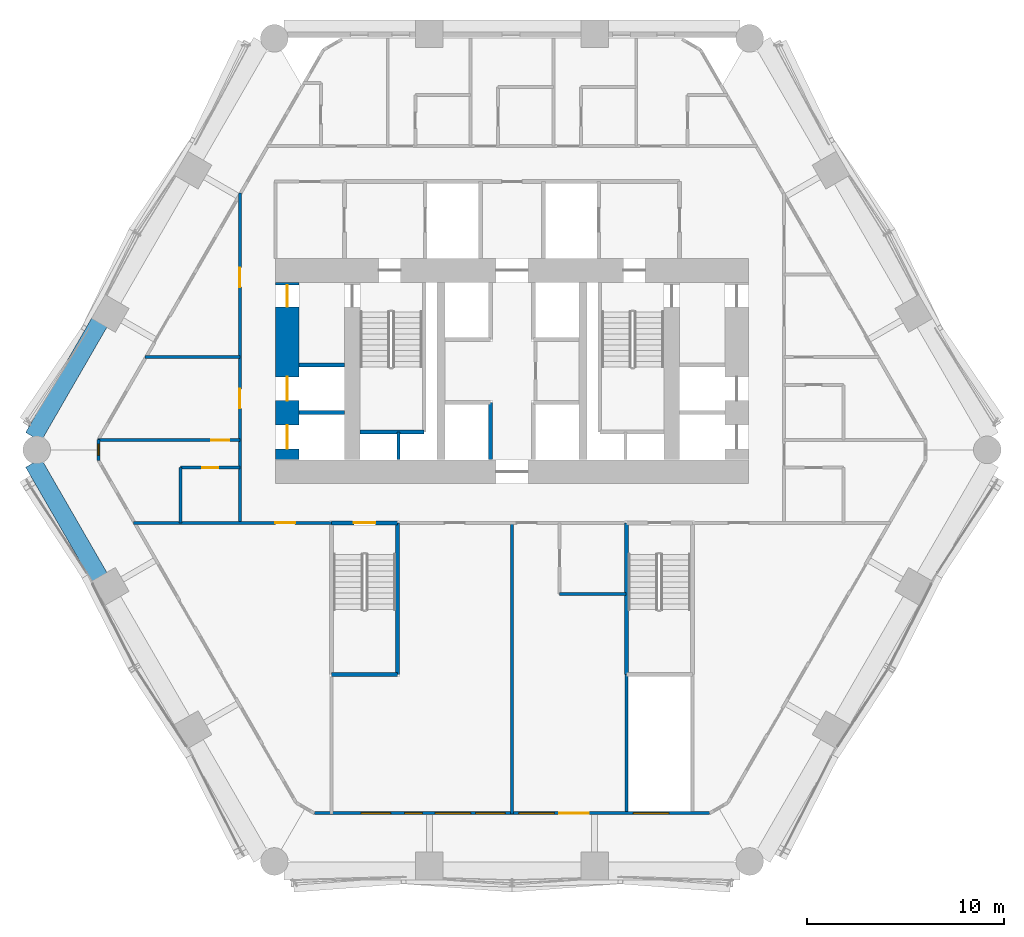
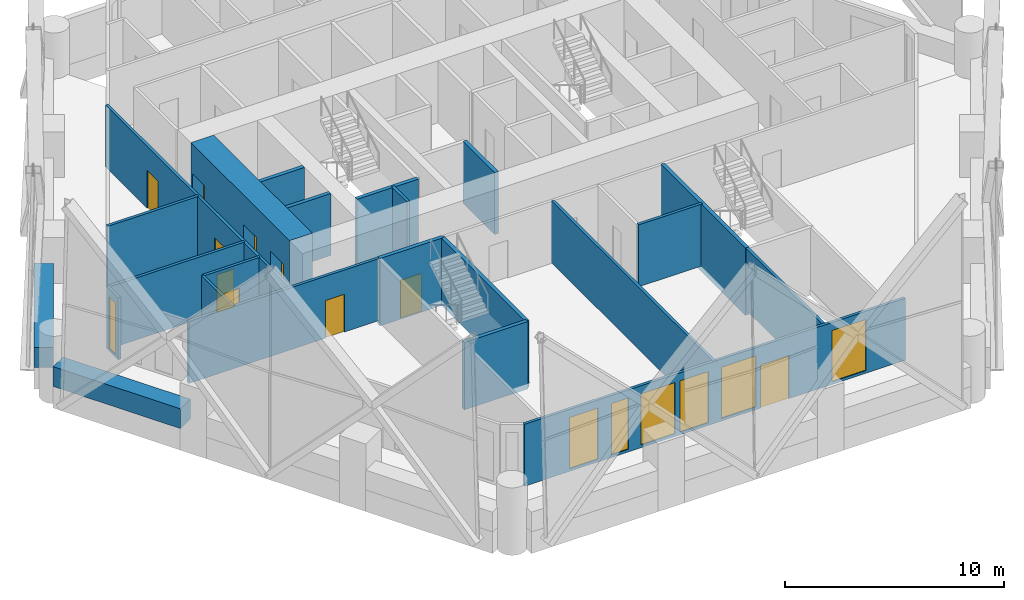
# One storey, part 11 of 22: 23 walls, 10 doors, 7 windows, 17 openings.
"""IFC4 building model written with IfcOpenShell, lengths in metres."""

import ifcopenshell
import ifcopenshell.guid

model = None  # the IFC model being written
_history = None  # IfcOwnerHistory: only IFC2X3 demands one
_inside = {}  # id of a spatial element -> (the spatial element, [elements in it])
_under = {}  # id of a project, library or spatial element -> (it, [spatial elements below it])
_declared = {}  # id of a project -> (the project, [libraries it declares])
_typed = {}  # id of a type object -> (the type object, [elements of that type])
_made_of = {}  # id of a material, layer set ... -> (it, [elements and type objects made of it])


def new_model(schema):
    """Start an empty IFC model of exactly this schema.

    Asked for "IFC4X3", IfcOpenShell would pick the latest addendum, in which some entities
    have other attributes; the version numbers below select the first issue.
    IFC2X3 requires an IfcOwnerHistory on every rooted entity: one is made here for all.
    """
    global model, _history
    if schema == "IFC4X3":
        model = ifcopenshell.file(schema_version=(4, 3, 0, 0))
    else:
        model = ifcopenshell.file(schema=schema)
    _inside.clear()
    _under.clear()
    _declared.clear()
    _typed.clear()
    _made_of.clear()
    _history = None
    if model.schema == "IFC2X3":
        org = make("IfcOrganization", Name="unknown")
        user = make(
            "IfcPersonAndOrganization",
            ThePerson=make("IfcPerson", FamilyName="unknown"),
            TheOrganization=org,
        )
        app = make(
            "IfcApplication",
            ApplicationDeveloper=org,
            Version="unknown",
            ApplicationFullName="unknown",
            ApplicationIdentifier="unknown",
        )
        _history = make(
            "IfcOwnerHistory",
            OwningUser=user,
            OwningApplication=app,
            ChangeAction="ADDED",
            CreationDate=0,
        )
    return model


def make(cls, **values):
    """One entity of the class cls with the attributes given. An attribute that is None is left unset."""
    return model.create_entity(
        cls, **{name: value for name, value in values.items() if value is not None}
    )


def rooted(cls, **values):
    """An entity with a GlobalId (a new one), such as an element, a storey or a relation."""
    return make(cls, GlobalId=ifcopenshell.guid.new(), OwnerHistory=_history, **values)


def si_unit(unit_type, name, prefix=None):
    """IfcSIUnit, for example si_unit("LENGTHUNIT", "METRE", prefix="MILLI")."""
    return make("IfcSIUnit", UnitType=unit_type, Prefix=prefix, Name=name)


def assignment(units):
    """IfcUnitAssignment: the units of a project."""
    return None if units is None else make("IfcUnitAssignment", Units=units)


def point(xyz):
    """IfcCartesianPoint."""
    return None if xyz is None else make("IfcCartesianPoint", Coordinates=xyz)


def direction(xyz):
    """IfcDirection."""
    return None if xyz is None else make("IfcDirection", DirectionRatios=xyz)


def frame(location, z_axis=None, x_axis=None):
    """IfcAxis2Placement3D, a coordinate frame: its origin and axes. An axis left out is left unset."""
    return make(
        "IfcAxis2Placement3D",
        Location=point(location),
        Axis=direction(z_axis),
        RefDirection=direction(x_axis),
    )


def frame_2d(location, x_axis=None):
    """IfcAxis2Placement2D, a coordinate frame in the plane: its origin and x axis."""
    return make(
        "IfcAxis2Placement2D", Location=point(location), RefDirection=direction(x_axis)
    )


def origin():
    """The frame at (0, 0, 0) with its axes left unset."""
    return frame((0.0, 0.0, 0.0))


def place(relative_to, where):
    """IfcLocalPlacement: puts the frame where relative to a parent placement (None: the world)."""
    return make(
        "IfcLocalPlacement", PlacementRelTo=relative_to, RelativePlacement=where
    )


def context(
    kind, dimensions, precision=None, world=None, true_north=None, identifier=None
):
    """IfcGeometricRepresentationContext, for example the 3D "Model" context."""
    return make(
        "IfcGeometricRepresentationContext",
        ContextIdentifier=identifier,
        ContextType=kind,
        CoordinateSpaceDimension=dimensions,
        Precision=precision,
        WorldCoordinateSystem=world,
        TrueNorth=true_north,
    )


def subcontext(parent, identifier, kind, view, scale=None):
    """IfcGeometricRepresentationSubContext, for example "Body" below "Model"."""
    return make(
        "IfcGeometricRepresentationSubContext",
        ContextIdentifier=identifier,
        ContextType=kind,
        ParentContext=parent,
        TargetScale=scale,
        TargetView=view,
    )


def project(units=None, contexts=None):
    """IfcProject with its units and contexts."""
    return rooted(
        "IfcProject",
        Name="project",
        RepresentationContexts=contexts,
        UnitsInContext=assignment(units),
    )


def spatial(cls, under=None, at=None, **own):
    """A site, building, storey or space (cls), placed at a placement, below another one or the project."""
    s = rooted(cls, ObjectPlacement=at, **own)
    if under is not None:
        _under.setdefault(under.id(), (under, []))[1].append(s)
    return s


def profile(cls, at=None, kind="AREA", **sizes):
    """A parametric profile (cls). Its sizes go by their IFC names, for example OverallWidth=200.0."""
    return make(cls, ProfileType=kind, Position=at, **sizes)


def rectangle(**sizes):
    """IfcRectangleProfileDef."""
    return profile("IfcRectangleProfileDef", **sizes)


def extrude(swept, where, along, depth):
    """IfcExtrudedAreaSolid: the profile swept, set in the frame where, extruded along a direction by depth."""
    return make(
        "IfcExtrudedAreaSolid",
        SweptArea=swept,
        Position=where,
        ExtrudedDirection=direction(along),
        Depth=depth,
    )


def shape(context_of_items, identifier, shape_type, items):
    """IfcShapeRepresentation: the items that make up one representation, for example the "Body"."""
    return make(
        "IfcShapeRepresentation",
        ContextOfItems=context_of_items,
        RepresentationIdentifier=identifier,
        RepresentationType=shape_type,
        Items=items,
    )


def material(Name=None, Category=None):
    """IfcMaterial."""
    return make("IfcMaterial", Name=Name, Category=Category)


def layer(
    of_material, thickness, ventilated=None, Name=None, Category=None, Priority=None
):
    """IfcMaterialLayer: one layer of a wall or slab, of a material (None: an air gap)."""
    return make(
        "IfcMaterialLayer",
        Material=of_material,
        LayerThickness=thickness,
        IsVentilated=ventilated,
        Name=Name,
        Category=Category,
        Priority=Priority,
    )


def layer_set(layers, Name=None):
    """IfcMaterialLayerSet."""
    return make("IfcMaterialLayerSet", MaterialLayers=layers, LayerSetName=Name)


def made_of(thing, what):
    """Note that an element or type object is made of a material, layer set ...; save() writes the relation."""
    if what is not None:
        _made_of.setdefault(what.id(), (what, []))[1].append(thing)
    return thing


def type_object(cls, material=None, **own):
    """A type object (cls), such as IfcWallType, which elements share."""
    return made_of(rooted(cls, **own), material)


def element(
    cls,
    number,
    at=None,
    inside=None,
    cuts=None,
    type_object=None,
    material=None,
    context=None,
    identifier="Body",
    shape_type=None,
    held_by="IfcProductDefinitionShape",
    body=None,
    shapes=None,
    **own,
):
    """One element of the class cls, such as IfcWall. Its Tag is "e" and its number.

    at: its placement. inside: the storey or other place that contains it. cuts: it is an
    opening in that element (IfcRelVoidsElement). A single representation is given by context,
    identifier, shape_type and body (its items); several are given by shapes. held_by: the class
    of the entity that holds the representations. save() writes the other relations.
    """
    e = rooted(cls, Tag="e%d" % number, ObjectPlacement=at, **own)
    if body is not None:
        shapes = [shape(context, identifier, shape_type, body)]
    if shapes is not None:
        e.Representation = make(held_by, Representations=shapes)
    if inside is not None:
        _inside.setdefault(inside.id(), (inside, []))[1].append(e)
    if cuts is not None:
        rooted(
            "IfcRelVoidsElement", RelatingBuildingElement=cuts, RelatedOpeningElement=e
        )
    if type_object is not None:
        _typed.setdefault(type_object.id(), (type_object, []))[1].append(e)
    return made_of(e, material)


def fill(opening, filler):
    """IfcRelFillsElement: the door or window that sits in an opening."""
    return rooted(
        "IfcRelFillsElement",
        RelatingOpeningElement=opening,
        RelatedBuildingElement=filler,
    )


def aggregate(whole, parts):
    """IfcRelAggregates: a whole, such as a stair, and the parts it consists of."""
    return rooted("IfcRelAggregates", RelatingObject=whole, RelatedObjects=parts)


def save(model, path):
    """Write the relations noted so far, then the file.

    IfcRelAggregates (storeys below a building ...), IfcRelContainedInSpatialStructure (elements
    in a storey), IfcRelDefinesByType, IfcRelAssociatesMaterial and IfcRelDeclares: one each for
    every whole, place, type object, material and project.
    """
    for whole, parts in _under.values():
        aggregate(whole, parts)
    for where, things in _inside.values():
        rooted(
            "IfcRelContainedInSpatialStructure",
            RelatedElements=things,
            RelatingStructure=where,
        )
    for kind, things in _typed.values():
        rooted("IfcRelDefinesByType", RelatedObjects=things, RelatingType=kind)
    for what, things in _made_of.values():
        rooted("IfcRelAssociatesMaterial", RelatedObjects=things, RelatingMaterial=what)
    for by, libraries in _declared.values():
        rooted("IfcRelDeclares", RelatingContext=by, RelatedDefinitions=libraries)
    model.write(path)


model = new_model("IFC4")

# Units and contexts
model_context = context("Model", 3, precision=1e-05, world=origin(), true_north=direction((0.0, 1.0)))
body_context = subcontext(model_context, "Body", "Model", "MODEL_VIEW")
ifc_project = project(units=[si_unit("LENGTHUNIT", "METRE"), si_unit("AREAUNIT", "SQUARE_METRE"), si_unit("VOLUMEUNIT", "CUBIC_METRE"), si_unit("PLANEANGLEUNIT", "RADIAN"), si_unit("MASSUNIT", "GRAM", prefix="KILO")], contexts=[model_context])

# Site, building, storey
site_placement = place(None, origin())
site = spatial("IfcSite", under=ifc_project, at=site_placement, CompositionType="ELEMENT")
building_placement = place(site_placement, origin())
building = spatial("IfcBuilding", under=site, at=building_placement, Name="Ostrander Bayou Hotel Tower", CompositionType="ELEMENT")
storey_placement = place(building_placement, frame((0.0, 0.0, 35.5)))
storey = spatial("IfcBuildingStorey", under=building, at=storey_placement, Name="L08", CompositionType="ELEMENT", Elevation=35.5)

# Wall, openings, doors
ifc_material_1 = material(Name="Concrete f'c 70 MPa", Category="concrete")
ifc_layer_1 = layer(ifc_material_1, 1.199951171875)
ifc_layer_set_1 = layer_set([ifc_layer_1], Name="CW1 core wall 1200 mm f'c 70 MPa")
wall_type_1 = type_object("IfcWallType", Name="CW1 core wall 1200 mm f'c 70 MPa", PredefinedType="SHEAR", material=ifc_layer_set_1)
wall_1_placement = place(storey_placement, frame((-11.39990234375, -0.5, -0.300048828125), z_axis=(0.0, 0.0, 1.0), x_axis=(0.0, 1.0, 0.0)))
wall_1 = element("IfcWall", 1, at=wall_1_placement, inside=storey, type_object=wall_type_1, Name="CW1 L08 RW", PredefinedType="SHEAR", context=body_context, shape_type="SweptSolid", body=[
    extrude(rectangle(XDim=9.0, YDim=1.199951171875, at=frame_2d((4.5, 0.0))), origin(), (0.0, 0.0, 1.0), 3.75),
])
opening_1_placement = place(wall_1_placement, frame((7.75, 0.0, 0.0)))
opening_1 = element("IfcOpeningElement", 2, at=opening_1_placement, cuts=wall_1, Name="Opening T06-015", PredefinedType="OPENING", context=body_context, shape_type="SweptSolid", body=[
    extrude(rectangle(XDim=1.10009765625, YDim=2.10009765625, at=frame_2d((0.550048828125, 1.050048828125))), frame((0.0, 0.60009765625, 0.0), z_axis=(0.0, -1.0, 0.0), x_axis=(1.0, 0.0, 0.0)), (0.0, 0.0, 1.0), 1.199951171875),
])
opening_2_placement = place(wall_1_placement, frame((0.550048828125, 0.0, 0.0)))
opening_2 = element("IfcOpeningElement", 3, at=opening_2_placement, cuts=wall_1, Name="Opening T06-016", PredefinedType="OPENING", context=body_context, shape_type="SweptSolid", body=[
    extrude(rectangle(XDim=1.199951171875, YDim=2.10009765625, at=frame_2d((0.60009765625, 1.050048828125))), frame((0.0, 0.60009765625, 0.0), z_axis=(0.0, -1.0, 0.0), x_axis=(1.0, 0.0, 0.0)), (0.0, 0.0, 1.0), 1.199951171875),
])
opening_3_placement = place(wall_1_placement, frame((3.0, 0.0, 0.0)))
opening_3 = element("IfcOpeningElement", 4, at=opening_3_placement, cuts=wall_1, Name="Opening T06-017", PredefinedType="OPENING", context=body_context, shape_type="SweptSolid", body=[
    extrude(rectangle(XDim=1.199951171875, YDim=2.10009765625, at=frame_2d((0.60009765625, 1.050048828125))), frame((0.0, 0.60009765625, 0.0), z_axis=(0.0, -1.0, 0.0), x_axis=(1.0, 0.0, 0.0)), (0.0, 0.0, 1.0), 1.199951171875),
])
ifc_material_2 = material(Name="Timber door leaf", Category="wood")
door_type_1 = type_object("IfcDoorType", Name="D5 stair door 1100 x 2100 mm, 90 minute", OperationType="SINGLE_SWING_LEFT", PredefinedType="DOOR", material=ifc_material_2)
door_1_placement = place(opening_1_placement, origin())
door_1 = element("IfcDoor", 5, at=door_1_placement, inside=storey, type_object=door_type_1, Name="dr:L08:015", OperationType="SINGLE_SWING_LEFT", OverallHeight=2.10009765625, OverallWidth=1.10009765625, PredefinedType="DOOR", context=body_context, shape_type="SweptSolid", body=[
    extrude(rectangle(XDim=1.10009765625, YDim=2.10009765625, at=frame_2d((0.550048828125, 1.050048828125))), frame((0.0, 0.02490234375, 0.0), z_axis=(0.0, -1.0, 0.0), x_axis=(1.0, 0.0, 0.0)), (0.0, 0.0, 1.0), 0.050048828125),
])
fill(opening_1, door_1)
ifc_material_3 = material(Name="Stainless steel sliding door", Category="steel")
door_type_2 = type_object("IfcDoorType", Name="LD1 lift landing door 1200 x 2100 mm", OperationType="SINGLE_SWING_LEFT", PredefinedType="DOOR", material=ifc_material_3)
door_2_placement = place(opening_2_placement, origin())
door_2 = element("IfcDoor", 6, at=door_2_placement, inside=storey, type_object=door_type_2, Name="dr:L08:016", OperationType="SLIDING_TO_LEFT", OverallHeight=2.10009765625, OverallWidth=1.199951171875, PredefinedType="DOOR", context=body_context, shape_type="SweptSolid", body=[
    extrude(rectangle(XDim=1.199951171875, YDim=2.10009765625, at=frame_2d((0.60009765625, 1.050048828125))), frame((0.0, 0.02490234375, 0.0), z_axis=(0.0, -1.0, 0.0), x_axis=(1.0, 0.0, 0.0)), (0.0, 0.0, 1.0), 0.050048828125),
])
fill(opening_2, door_2)
door_3_placement = place(opening_3_placement, origin())
door_3 = element("IfcDoor", 7, at=door_3_placement, inside=storey, type_object=door_type_2, Name="dr:L08:017", OperationType="SLIDING_TO_LEFT", OverallHeight=2.10009765625, OverallWidth=1.199951171875, PredefinedType="DOOR", context=body_context, shape_type="SweptSolid", body=[
    extrude(rectangle(XDim=1.199951171875, YDim=2.10009765625, at=frame_2d((0.60009765625, 1.050048828125))), frame((0.0, 0.02490234375, 0.0), z_axis=(0.0, -1.0, 0.0), x_axis=(1.0, 0.0, 0.0)), (0.0, 0.0, 1.0), 0.050048828125),
])
fill(opening_3, door_3)

# Wall, openings, door, windows
ifc_material_4 = material(Name="Aluminium framed insulated wall", Category="aluminium")
ifc_layer_2 = layer(ifc_material_4, 0.14990234375)
ifc_layer_set_2 = layer_set([ifc_layer_2], Name="GW1 glass-line wall 150 mm")
wall_type_2 = type_object("IfcWallType", Name="GW1 glass-line wall 150 mm", PredefinedType="SOLIDWALL", material=ifc_layer_set_2)
wall_2_placement = place(storey_placement, frame((-10.022705078125, -18.425048828125, 0.0), z_axis=(0.0, 0.0, 1.0), x_axis=(1.0, 0.0, 0.0)))
wall_2 = element("IfcWall", 8, at=wall_2_placement, inside=storey, type_object=wall_type_2, Name="GW1 L08 S 1", PredefinedType="SOLIDWALL", context=body_context, shape_type="SweptSolid", body=[
    extrude(rectangle(XDim=20.04541015625, YDim=0.14990234375, at=frame_2d((10.022705078125, 0.0))), origin(), (0.0, 0.0, 1.0), 3.449951171875),
])
opening_4_placement = place(wall_2_placement, frame((4.57275390625, 0.0, 0.14990234375)))
opening_4 = element("IfcOpeningElement", 9, at=opening_4_placement, cuts=wall_2, Name="Opening W15", PredefinedType="OPENING", context=body_context, shape_type="SweptSolid", body=[
    extrude(rectangle(XDim=0.89990234375, YDim=2.85009765625, at=frame_2d((0.449951171875, 1.425048828125))), frame((0.0, 0.074951171875, 0.0), z_axis=(0.0, -1.0, 0.0), x_axis=(1.0, 0.0, 0.0)), (0.0, 0.0, 1.0), 0.14990234375),
])
opening_5_placement = place(wall_2_placement, frame((2.372802734375, 0.0, 0.14990234375)))
opening_5 = element("IfcOpeningElement", 10, at=opening_5_placement, cuts=wall_2, Name="Opening W11", PredefinedType="OPENING", context=body_context, shape_type="SweptSolid", body=[
    extrude(rectangle(XDim=1.5, YDim=2.85009765625, at=frame_2d((0.75, 1.425048828125))), frame((0.0, 0.074951171875, 0.0), z_axis=(0.0, -1.0, 0.0), x_axis=(1.0, 0.0, 0.0)), (0.0, 0.0, 1.0), 0.14990234375),
])
opening_6_placement = place(wall_2_placement, frame((6.122802734375, 0.0, 0.14990234375)))
opening_6 = element("IfcOpeningElement", 11, at=opening_6_placement, cuts=wall_2, Name="Opening W1", PredefinedType="OPENING", context=body_context, shape_type="SweptSolid", body=[
    extrude(rectangle(XDim=1.800048828125, YDim=2.85009765625, at=frame_2d((0.89990234375, 1.425048828125))), frame((0.0, 0.074951171875, 0.0), z_axis=(0.0, -1.0, 0.0), x_axis=(1.0, 0.0, 0.0)), (0.0, 0.0, 1.0), 0.14990234375),
])
opening_7_placement = place(wall_2_placement, frame((8.1728515625, 0.0, 0.14990234375)))
opening_7 = element("IfcOpeningElement", 12, at=opening_7_placement, cuts=wall_2, Name="Opening W11", PredefinedType="OPENING", context=body_context, shape_type="SweptSolid", body=[
    extrude(rectangle(XDim=1.5, YDim=2.85009765625, at=frame_2d((0.75, 1.425048828125))), frame((0.0, 0.074951171875, 0.0), z_axis=(0.0, -1.0, 0.0), x_axis=(1.0, 0.0, 0.0)), (0.0, 0.0, 1.0), 0.14990234375),
])
opening_8_placement = place(wall_2_placement, frame((10.372802734375, 0.0, 0.14990234375)))
opening_8 = element("IfcOpeningElement", 13, at=opening_8_placement, cuts=wall_2, Name="Opening W1", PredefinedType="OPENING", context=body_context, shape_type="SweptSolid", body=[
    extrude(rectangle(XDim=1.800048828125, YDim=2.85009765625, at=frame_2d((0.89990234375, 1.425048828125))), frame((0.0, 0.074951171875, 0.0), z_axis=(0.0, -1.0, 0.0), x_axis=(1.0, 0.0, 0.0)), (0.0, 0.0, 1.0), 0.14990234375),
])
opening_9_placement = place(wall_2_placement, frame((12.4228515625, 0.0, 0.0)))
opening_9 = element("IfcOpeningElement", 14, at=opening_9_placement, cuts=wall_2, Name="Opening T06-804", PredefinedType="OPENING", context=body_context, shape_type="SweptSolid", body=[
    extrude(rectangle(XDim=1.5, YDim=2.39990234375, at=frame_2d((0.75, 1.199951171875))), frame((0.0, 0.074951171875, 0.0), z_axis=(0.0, -1.0, 0.0), x_axis=(1.0, 0.0, 0.0)), (0.0, 0.0, 1.0), 0.14990234375),
])
opening_10_placement = place(wall_2_placement, frame((16.1728515625, 0.0, 0.14990234375)))
opening_10 = element("IfcOpeningElement", 15, at=opening_10_placement, cuts=wall_2, Name="Opening W1", PredefinedType="OPENING", context=body_context, shape_type="SweptSolid", body=[
    extrude(rectangle(XDim=1.800048828125, YDim=2.85009765625, at=frame_2d((0.89990234375, 1.425048828125))), frame((0.0, 0.074951171875, 0.0), z_axis=(0.0, -1.0, 0.0), x_axis=(1.0, 0.0, 0.0)), (0.0, 0.0, 1.0), 0.14990234375),
])
ifc_material_5 = material(Name="Aluminium and clear glass", Category="aluminium")
door_type_3 = type_object("IfcDoorType", Name="SD1 sliding glass door 1500 mm, zone 1", OperationType="SLIDING_TO_LEFT", PredefinedType="DOOR", material=ifc_material_5)
door_4_placement = place(opening_9_placement, origin())
door_4 = element("IfcDoor", 16, at=door_4_placement, inside=storey, type_object=door_type_3, Name="SD1 L08 S 3", OperationType="SLIDING_TO_LEFT", OverallHeight=2.39990234375, OverallWidth=1.5, PredefinedType="DOOR", context=body_context, shape_type="SweptSolid", body=[
    extrude(rectangle(XDim=1.5, YDim=2.39990234375, at=frame_2d((0.75, 1.199951171875))), frame((0.0, 0.02490234375, 0.0), z_axis=(0.0, -1.0, 0.0), x_axis=(1.0, 0.0, 0.0)), (0.0, 0.0, 1.0), 0.050048828125),
])
fill(opening_9, door_4)
ifc_material_6 = material(Name="Aluminium and clear glass", Category="aluminium")
window_type_1 = type_object("IfcWindowType", Name="W1 fixed window 1800 mm, zone 1", PartitioningType="SINGLE_PANEL", PredefinedType="WINDOW", material=ifc_material_6)
window_1_placement = place(opening_6_placement, origin())
window_1 = element("IfcWindow", 17, at=window_1_placement, inside=storey, type_object=window_type_1, Name="W1 L08 S 2", OverallHeight=2.85009765625, OverallWidth=1.800048828125, PartitioningType="SINGLE_PANEL", PredefinedType="WINDOW", context=body_context, shape_type="SweptSolid", body=[
    extrude(rectangle(XDim=1.800048828125, YDim=2.85009765625, at=frame_2d((0.89990234375, 1.425048828125))), frame((0.0, 0.030029296875, 0.0), z_axis=(0.0, -1.0, 0.0), x_axis=(1.0, 0.0, 0.0)), (0.0, 0.0, 1.0), 0.06005859375),
])
fill(opening_6, window_1)
window_2_placement = place(opening_8_placement, origin())
window_2 = element("IfcWindow", 18, at=window_2_placement, inside=storey, type_object=window_type_1, Name="W1 L08 S 3", OverallHeight=2.85009765625, OverallWidth=1.800048828125, PartitioningType="SINGLE_PANEL", PredefinedType="WINDOW", context=body_context, shape_type="SweptSolid", body=[
    extrude(rectangle(XDim=1.800048828125, YDim=2.85009765625, at=frame_2d((0.89990234375, 1.425048828125))), frame((0.0, 0.030029296875, 0.0), z_axis=(0.0, -1.0, 0.0), x_axis=(1.0, 0.0, 0.0)), (0.0, 0.0, 1.0), 0.06005859375),
])
fill(opening_8, window_2)
window_3_placement = place(opening_10_placement, origin())
window_3 = element("IfcWindow", 19, at=window_3_placement, inside=storey, type_object=window_type_1, Name="W1 L08 S 4", OverallHeight=2.85009765625, OverallWidth=1.800048828125, PartitioningType="SINGLE_PANEL", PredefinedType="WINDOW", context=body_context, shape_type="SweptSolid", body=[
    extrude(rectangle(XDim=1.800048828125, YDim=2.85009765625, at=frame_2d((0.89990234375, 1.425048828125))), frame((0.0, 0.030029296875, 0.0), z_axis=(0.0, -1.0, 0.0), x_axis=(1.0, 0.0, 0.0)), (0.0, 0.0, 1.0), 0.06005859375),
])
fill(opening_10, window_3)
ifc_material_7 = material(Name="Aluminium and clear glass", Category="aluminium")
window_type_2 = type_object("IfcWindowType", Name="W11 fixed window 1500 mm, bath bay, zone 1", PartitioningType="SINGLE_PANEL", PredefinedType="WINDOW", material=ifc_material_7)
window_4_placement = place(opening_5_placement, origin())
window_4 = element("IfcWindow", 20, at=window_4_placement, inside=storey, type_object=window_type_2, Name="W11 L08 S 1", OverallHeight=2.85009765625, OverallWidth=1.5, PartitioningType="SINGLE_PANEL", PredefinedType="WINDOW", context=body_context, shape_type="SweptSolid", body=[
    extrude(rectangle(XDim=1.5, YDim=2.85009765625, at=frame_2d((0.75, 1.425048828125))), frame((0.0, 0.030029296875, 0.0), z_axis=(0.0, -1.0, 0.0), x_axis=(1.0, 0.0, 0.0)), (0.0, 0.0, 1.0), 0.06005859375),
])
fill(opening_5, window_4)
window_5_placement = place(opening_7_placement, origin())
window_5 = element("IfcWindow", 21, at=window_5_placement, inside=storey, type_object=window_type_2, Name="W11 L08 S 2", OverallHeight=2.85009765625, OverallWidth=1.5, PartitioningType="SINGLE_PANEL", PredefinedType="WINDOW", context=body_context, shape_type="SweptSolid", body=[
    extrude(rectangle(XDim=1.5, YDim=2.85009765625, at=frame_2d((0.75, 1.425048828125))), frame((0.0, 0.030029296875, 0.0), z_axis=(0.0, -1.0, 0.0), x_axis=(1.0, 0.0, 0.0)), (0.0, 0.0, 1.0), 0.06005859375),
])
fill(opening_7, window_5)
ifc_material_8 = material(Name="Aluminium and clear glass", Category="aluminium")
window_type_3 = type_object("IfcWindowType", Name="W15 window 900 mm, zone 1", PartitioningType="SINGLE_PANEL", PredefinedType="WINDOW", material=ifc_material_8)
window_6_placement = place(opening_4_placement, origin())
window_6 = element("IfcWindow", 22, at=window_6_placement, inside=storey, type_object=window_type_3, Name="W15 L08 S 1", OverallHeight=2.85009765625, OverallWidth=0.89990234375, PartitioningType="SINGLE_PANEL", PredefinedType="WINDOW", context=body_context, shape_type="SweptSolid", body=[
    extrude(rectangle(XDim=0.89990234375, YDim=2.85009765625, at=frame_2d((0.449951171875, 1.425048828125))), frame((0.0, 0.030029296875, 0.0), z_axis=(0.0, -1.0, 0.0), x_axis=(1.0, 0.0, 0.0)), (0.0, 0.0, 1.0), 0.06005859375),
])
fill(opening_4, window_6)

# Wall, opening, window
wall_3_placement = place(storey_placement, frame((-20.968017578125, 0.532470703125, 0.0), z_axis=(0.0, 0.0, 1.0), x_axis=(0.0, -1.0, 0.0)))
wall_3 = element("IfcWall", 23, at=wall_3_placement, inside=storey, type_object=wall_type_2, Name="GW1 L08 corner 2", PredefinedType="SOLIDWALL", context=body_context, shape_type="SweptSolid", body=[
    extrude(rectangle(XDim=1.06494140625, YDim=0.14990234375, at=frame_2d((0.532470703125, 0.0))), origin(), (0.0, 0.0, 1.0), 3.449951171875),
])
opening_11_placement = place(wall_3_placement, frame((0.257568359375, 0.0, 0.14990234375)))
opening_11 = element("IfcOpeningElement", 24, at=opening_11_placement, cuts=wall_3, Name="Opening W19", PredefinedType="OPENING", context=body_context, shape_type="SweptSolid", body=[
    extrude(rectangle(XDim=0.550048828125, YDim=2.85009765625, at=frame_2d((0.27490234375, 1.425048828125))), frame((0.0, 0.074951171875, 0.0), z_axis=(0.0, -1.0, 0.0), x_axis=(1.0, 0.0, 0.0)), (0.0, 0.0, 1.0), 0.14990234375),
])
ifc_material_9 = material(Name="Aluminium and clear glass", Category="aluminium")
window_type_4 = type_object("IfcWindowType", Name="W19 corner window 550 mm", PartitioningType="SINGLE_PANEL", PredefinedType="WINDOW", material=ifc_material_9)
window_7_placement = place(opening_11_placement, origin())
window_7 = element("IfcWindow", 25, at=window_7_placement, inside=storey, type_object=window_type_4, Name="W19 L08 corner 2", OverallHeight=2.85009765625, OverallWidth=0.550048828125, PartitioningType="SINGLE_PANEL", PredefinedType="WINDOW", context=body_context, shape_type="SweptSolid", body=[
    extrude(rectangle(XDim=0.550048828125, YDim=2.85009765625, at=frame_2d((0.27490234375, 1.425048828125))), frame((0.0, 0.030029296875, 0.0), z_axis=(0.0, -1.0, 0.0), x_axis=(1.0, 0.0, 0.0)), (0.0, 0.0, 1.0), 0.06005859375),
])
fill(opening_11, window_7)

# Walls
ifc_material_10 = material(Name="Concrete f'c 40 MPa", Category="concrete")
ifc_layer_3 = layer(ifc_material_10, 0.89990234375)
ifc_layer_set_3 = layer_set([ifc_layer_3], Name="PA1 stone-faced parapet 900 mm")
wall_type_3 = type_object("IfcWallType", Name="PA1 stone-faced parapet 900 mm", PredefinedType="PARAPET", material=ifc_layer_set_3)
wall_4_placement = place(storey_placement, frame((-20.92236328125, 6.46142578125, 0.0), z_axis=(0.0, 0.0, 1.0), x_axis=(-0.500005133765, -0.866022439784, 0.0)))
element("IfcWall", 26, at=wall_4_placement, inside=storey, type_object=wall_type_3, Name="PA1 L08 NW-3", PredefinedType="PARAPET", context=body_context, shape_type="SweptSolid", body=[
    extrude(rectangle(XDim=6.70361328125, YDim=0.89990234375, at=frame_2d((3.351806640625, 0.0))), origin(), (0.0, 0.0, 1.0), 1.10009765625),
])
ifc_material_11 = material(Name="Limestone masonry", Category="masonry")
ifc_layer_4 = layer(ifc_material_11, 0.89990234375)
ifc_layer_set_4 = layer_set([ifc_layer_4], Name="PA2 limestone parapet 900 mm")
wall_type_4 = type_object("IfcWallType", Name="PA2 limestone parapet 900 mm", PredefinedType="PARAPET", material=ifc_layer_set_4)
wall_5_placement = place(storey_placement, frame((-24.274169921875, -0.656005859375, 0.0), z_axis=(0.0, 0.0, 1.0), x_axis=(0.500005133765, -0.866022439784, 0.0)))
element("IfcWall", 27, at=wall_5_placement, inside=storey, type_object=wall_type_4, Name="PA2 L08 SW-1", PredefinedType="PARAPET", context=body_context, shape_type="SweptSolid", body=[
    extrude(rectangle(XDim=6.70361328125, YDim=0.89990234375, at=frame_2d((3.351806640625, 0.0))), origin(), (0.0, 0.0, 1.0), 1.10009765625),
])
ifc_material_12 = material(Name="Masonry block", Category="masonry")
ifc_layer_5 = layer(ifc_material_12, 0.199951171875)
ifc_layer_set_5 = layer_set([ifc_layer_5], Name="PT6 lift shaft wall 200 mm masonry, 2 hour")
wall_type_5 = type_object("IfcWallType", Name="PT6 lift shaft wall 200 mm masonry, 2 hour", PredefinedType="PARTITIONING", material=ifc_layer_set_5)
wall_6_placement = place(storey_placement, frame((-1.10009765625, -0.5, 0.0), z_axis=(0.0, 0.0, 1.0), x_axis=(0.0, 1.0, 0.0)))
element("IfcWall", 28, at=wall_6_placement, inside=storey, type_object=wall_type_5, Name="cs:L08:005", PredefinedType="PARTITIONING", context=body_context, shape_type="SweptSolid", body=[
    extrude(rectangle(XDim=2.89990234375, YDim=0.199951171875, at=frame_2d((1.449951171875, 0.0))), origin(), (0.0, 0.0, 1.0), 3.449951171875),
])
for number, where, z_axis, x_axis, name in (
    (29, (-10.800048828125, 1.89990234375, 0.0), (0.0, 0.0, 1.0), (1.0, 0.0, 0.0), "cs:L08:033"),
    (30, (-10.800048828125, 4.300048828125, 0.0), (0.0, 0.0, 1.0), (1.0, 0.0, 0.0), "cs:L08:034"),
):
    element("IfcWall", number, at=place(storey_placement, frame(where, z_axis=z_axis, x_axis=x_axis)), inside=storey, type_object=wall_type_5, Name=name, PredefinedType="PARTITIONING", context=body_context, shape_type="SweptSolid", body=[
        extrude(rectangle(XDim=2.300048828125, YDim=0.199951171875, at=frame_2d((1.14990234375, 0.0))), origin(), (0.0, 0.0, 1.0), 3.449951171875),
    ])
ifc_material_13 = material(Name="Gypsum board partition", Category="finish")
ifc_layer_6 = layer(ifc_material_13, 0.14990234375)
ifc_layer_set_6 = layer_set([ifc_layer_6], Name="PT7 riser wall 150 mm, 2 hour")
wall_type_6 = type_object("IfcWallType", Name="PT7 riser wall 150 mm, 2 hour", PredefinedType="PARTITIONING", material=ifc_layer_set_6)
wall_7_placement = place(storey_placement, frame((-5.75, -0.5, 0.0), z_axis=(0.0, 0.0, 1.0), x_axis=(0.0, 1.0, 0.0)))
element("IfcWall", 31, at=wall_7_placement, inside=storey, type_object=wall_type_6, Name="cs:L08:011", PredefinedType="PARTITIONING", context=body_context, shape_type="SweptSolid", body=[
    extrude(rectangle(XDim=1.39990234375, YDim=0.14990234375, at=frame_2d((0.699951171875, 0.0))), origin(), (0.0, 0.0, 1.0), 3.449951171875),
])
wall_8_placement = place(storey_placement, frame((5.800048828125, -11.39990234375, 0.0), z_axis=(0.0, 0.0, 1.0), x_axis=(0.0, -1.0, 0.0)))
element("IfcWall", 32, at=wall_8_placement, inside=storey, type_object=wall_type_6, Name="cs:L08:019", PredefinedType="PARTITIONING", context=body_context, shape_type="SweptSolid", body=[
    extrude(rectangle(XDim=6.9501953125, YDim=0.14990234375, at=frame_2d((3.47509765625, 0.0))), origin(), (0.0, 0.0, 1.0), 3.449951171875),
])
ifc_material_14 = material(Name="Gypsum board partition", Category="finish")
ifc_layer_7 = layer(ifc_material_14, 0.14990234375)
ifc_layer_set_7 = layer_set([ifc_layer_7], Name="PT8 service band wall 150 mm, 1 hour")
wall_type_7 = type_object("IfcWallType", Name="PT8 service band wall 150 mm, 1 hour", PredefinedType="PARTITIONING", material=ifc_layer_set_7)
wall_9_placement = place(storey_placement, frame((2.409912109375, -7.300048828125, 0.0), z_axis=(0.0, 0.0, 1.0), x_axis=(1.0, 0.0, 0.0)))
element("IfcWall", 33, at=wall_9_placement, inside=storey, type_object=wall_type_7, Name="gw:L08:001", PredefinedType="PARTITIONING", context=body_context, shape_type="SweptSolid", body=[
    extrude(rectangle(XDim=3.380126953125, YDim=0.14990234375, at=frame_2d((1.68994140625, 0.0))), origin(), (0.0, 0.0, 1.0), 3.449951171875),
])

# Wall, opening, door
wall_10_placement = place(storey_placement, frame((-19.19091796875, -3.699951171875, 0.0), z_axis=(0.0, 0.0, 1.0), x_axis=(1.0, 0.0, 0.0)))
wall_10 = element("IfcWall", 34, at=wall_10_placement, inside=storey, type_object=wall_type_7, Name="gw:L08:002", PredefinedType="PARTITIONING", context=body_context, shape_type="SweptSolid", body=[
    extrude(rectangle(XDim=10.031005859375, YDim=0.14990234375, at=frame_2d((5.015625, 0.0))), origin(), (0.0, 0.0, 1.0), 3.449951171875),
])
opening_12_placement = place(wall_10_placement, frame((7.19091796875, 0.0, 0.0)))
opening_12 = element("IfcOpeningElement", 35, at=opening_12_placement, cuts=wall_10, Name="Opening T06-401", PredefinedType="OPENING", context=body_context, shape_type="SweptSolid", body=[
    extrude(rectangle(XDim=1.0, YDim=2.10009765625, at=frame_2d((0.5, 1.050048828125))), frame((0.0, 0.074951171875, 0.0), z_axis=(0.0, -1.0, 0.0), x_axis=(1.0, 0.0, 0.0)), (0.0, 0.0, 1.0), 0.14990234375),
])
ifc_material_15 = material(Name="Timber door leaf", Category="wood")
door_type_4 = type_object("IfcDoorType", Name="D15 room door 1000 x 2100 mm", OperationType="SINGLE_SWING_LEFT", PredefinedType="DOOR", material=ifc_material_15)
door_5_placement = place(opening_12_placement, origin())
door_5 = element("IfcDoor", 36, at=door_5_placement, inside=storey, type_object=door_type_4, Name="dr:L08:401", OperationType="SINGLE_SWING_RIGHT", OverallHeight=2.10009765625, OverallWidth=1.0, PredefinedType="DOOR", context=body_context, shape_type="SweptSolid", body=[
    extrude(rectangle(XDim=1.0, YDim=2.10009765625, at=frame_2d((0.5, 1.050048828125))), frame((0.0, 0.02490234375, 0.0), z_axis=(0.0, -1.0, 0.0), x_axis=(1.0, 0.0, 0.0)), (0.0, 0.0, 1.0), 0.050048828125),
])
fill(opening_12, door_5)

wall_11_placement = place(storey_placement, frame((-16.800048828125, -0.89990234375, 0.0), z_axis=(0.0, 0.0, 1.0), x_axis=(1.0, 0.0, 0.0)))
wall_11 = element("IfcWall", 37, at=wall_11_placement, inside=storey, type_object=wall_type_7, Name="gw:L08:005", PredefinedType="PARTITIONING", context=body_context, shape_type="SweptSolid", body=[
    extrude(rectangle(XDim=3.0, YDim=0.14990234375, at=frame_2d((1.5, 0.0))), origin(), (0.0, 0.0, 1.0), 3.449951171875),
])
opening_13_placement = place(wall_11_placement, frame((1.10009765625, 0.0, 0.0)))
opening_13 = element("IfcOpeningElement", 38, at=opening_13_placement, cuts=wall_11, Name="Opening T06-407", PredefinedType="OPENING", context=body_context, shape_type="SweptSolid", body=[
    extrude(rectangle(XDim=0.800048828125, YDim=2.10009765625, at=frame_2d((0.39990234375, 1.050048828125))), frame((0.0, 0.074951171875, 0.0), z_axis=(0.0, -1.0, 0.0), x_axis=(1.0, 0.0, 0.0)), (0.0, 0.0, 1.0), 0.14990234375),
])
ifc_material_16 = material(Name="Timber door leaf", Category="wood")
door_type_5 = type_object("IfcDoorType", Name="D2 bathroom door 800 x 2100 mm", OperationType="SINGLE_SWING_LEFT", PredefinedType="DOOR", material=ifc_material_16)
door_6_placement = place(opening_13_placement, origin())
door_6 = element("IfcDoor", 39, at=door_6_placement, inside=storey, type_object=door_type_5, Name="dr:L08:407", OperationType="SINGLE_SWING_RIGHT", OverallHeight=2.10009765625, OverallWidth=0.800048828125, PredefinedType="DOOR", context=body_context, shape_type="SweptSolid", body=[
    extrude(rectangle(XDim=0.800048828125, YDim=2.10009765625, at=frame_2d((0.39990234375, 1.050048828125))), frame((0.0, 0.02490234375, 0.0), z_axis=(0.0, -1.0, 0.0), x_axis=(1.0, 0.0, 0.0)), (0.0, 0.0, 1.0), 0.050048828125),
])
fill(opening_13, door_6)

wall_12_placement = place(storey_placement, frame((-20.986083984375, 0.5, 0.0), z_axis=(0.0, 0.0, 1.0), x_axis=(1.0, 0.0, 0.0)))
wall_12 = element("IfcWall", 40, at=wall_12_placement, inside=storey, type_object=wall_type_7, Name="gw:L08:007", PredefinedType="PARTITIONING", context=body_context, shape_type="SweptSolid", body=[
    extrude(rectangle(XDim=7.18603515625, YDim=0.14990234375, at=frame_2d((3.593017578125, 0.0))), origin(), (0.0, 0.0, 1.0), 3.449951171875),
])
opening_14_placement = place(wall_12_placement, frame((5.736083984375, 0.0, 0.0)))
opening_14 = element("IfcOpeningElement", 41, at=opening_14_placement, cuts=wall_12, Name="Opening T06-406", PredefinedType="OPENING", context=body_context, shape_type="SweptSolid", body=[
    extrude(rectangle(XDim=0.89990234375, YDim=2.10009765625, at=frame_2d((0.449951171875, 1.050048828125))), frame((0.0, 0.074951171875, 0.0), z_axis=(0.0, -1.0, 0.0), x_axis=(1.0, 0.0, 0.0)), (0.0, 0.0, 1.0), 0.14990234375),
])
ifc_material_17 = material(Name="Timber door leaf", Category="wood")
door_type_6 = type_object("IfcDoorType", Name="D8 room door 900 x 2100 mm", OperationType="SINGLE_SWING_LEFT", PredefinedType="DOOR", material=ifc_material_17)
door_7_placement = place(opening_14_placement, origin())
door_7 = element("IfcDoor", 42, at=door_7_placement, inside=storey, type_object=door_type_6, Name="dr:L08:406", OperationType="SINGLE_SWING_RIGHT", OverallHeight=2.10009765625, OverallWidth=0.89990234375, PredefinedType="DOOR", context=body_context, shape_type="SweptSolid", body=[
    extrude(rectangle(XDim=0.89990234375, YDim=2.10009765625, at=frame_2d((0.449951171875, 1.050048828125))), frame((0.0, 0.02490234375, 0.0), z_axis=(0.0, -1.0, 0.0), x_axis=(1.0, 0.0, 0.0)), (0.0, 0.0, 1.0), 0.050048828125),
])
fill(opening_14, door_7)

# Walls
wall_13_placement = place(storey_placement, frame((-18.614013671875, 4.699951171875, 0.0), z_axis=(0.0, 0.0, 1.0), x_axis=(1.0, 0.0, 0.0)))
element("IfcWall", 43, at=wall_13_placement, inside=storey, type_object=wall_type_7, Name="gw:L08:010", PredefinedType="PARTITIONING", context=body_context, shape_type="SweptSolid", body=[
    extrude(rectangle(XDim=4.81396484375, YDim=0.14990234375, at=frame_2d((2.406982421875, 0.0))), origin(), (0.0, 0.0, 1.0), 3.449951171875),
])
wall_14_placement = place(storey_placement, frame((0.0, -18.469970703125, 0.0), z_axis=(0.0, 0.0, 1.0), x_axis=(0.0, 1.0, 0.0)))
element("IfcWall", 44, at=wall_14_placement, inside=storey, type_object=wall_type_7, Name="gw:L08:030", PredefinedType="PARTITIONING", context=body_context, shape_type="SweptSolid", body=[
    extrude(rectangle(XDim=14.77001953125, YDim=0.14990234375, at=frame_2d((7.385009765625, 0.0))), origin(), (0.0, 0.0, 1.0), 3.449951171875),
])

# Wall, openings, doors
wall_15_placement = place(storey_placement, frame((-13.800048828125, -3.699951171875, 0.0), z_axis=(0.0, 0.0, 1.0), x_axis=(0.0, 1.0, 0.0)))
wall_15 = element("IfcWall", 45, at=wall_15_placement, inside=storey, type_object=wall_type_7, Name="gw:L08:038", PredefinedType="PARTITIONING", context=body_context, shape_type="SweptSolid", body=[
    extrude(rectangle(XDim=16.738037109375, YDim=0.14990234375, at=frame_2d((8.369140625, 0.0))), origin(), (0.0, 0.0, 1.0), 3.449951171875),
])
opening_15_placement = place(wall_15_placement, frame((5.800048828125, 0.0, 0.0)))
opening_15 = element("IfcOpeningElement", 46, at=opening_15_placement, cuts=wall_15, Name="Opening T06-405", PredefinedType="OPENING", context=body_context, shape_type="SweptSolid", body=[
    extrude(rectangle(XDim=1.0, YDim=2.10009765625, at=frame_2d((0.5, 1.050048828125))), frame((0.0, 0.074951171875, 0.0), z_axis=(0.0, -1.0, 0.0), x_axis=(1.0, 0.0, 0.0)), (0.0, 0.0, 1.0), 0.14990234375),
])
opening_16_placement = place(wall_15_placement, frame((11.947998046875, 0.0, 0.0)))
opening_16 = element("IfcOpeningElement", 47, at=opening_16_placement, cuts=wall_15, Name="Opening T06-408", PredefinedType="OPENING", context=body_context, shape_type="SweptSolid", body=[
    extrude(rectangle(XDim=1.0, YDim=2.10009765625, at=frame_2d((0.5, 1.050048828125))), frame((0.0, 0.074951171875, 0.0), z_axis=(0.0, -1.0, 0.0), x_axis=(1.0, 0.0, 0.0)), (0.0, 0.0, 1.0), 0.14990234375),
])
ifc_material_18 = material(Name="Timber door leaf", Category="wood")
door_type_7 = type_object("IfcDoorType", Name="D1 guest room door 1000 x 2100 mm, 30 minute", OperationType="SINGLE_SWING_LEFT", PredefinedType="DOOR", material=ifc_material_18)
door_8_placement = place(opening_15_placement, origin())
door_8 = element("IfcDoor", 48, at=door_8_placement, inside=storey, type_object=door_type_7, Name="dr:L08:405", OperationType="SINGLE_SWING_RIGHT", OverallHeight=2.10009765625, OverallWidth=1.0, PredefinedType="DOOR", context=body_context, shape_type="SweptSolid", body=[
    extrude(rectangle(XDim=1.0, YDim=2.10009765625, at=frame_2d((0.5, 1.050048828125))), frame((0.0, 0.02490234375, 0.0), z_axis=(0.0, -1.0, 0.0), x_axis=(1.0, 0.0, 0.0)), (0.0, 0.0, 1.0), 0.050048828125),
])
fill(opening_15, door_8)
ifc_material_19 = material(Name="Timber door leaf", Category="wood")
door_type_8 = type_object("IfcDoorType", Name="D9 service door 1000 x 2100 mm, 30 minute", OperationType="SINGLE_SWING_LEFT", PredefinedType="DOOR", material=ifc_material_19)
door_9_placement = place(opening_16_placement, origin())
door_9 = element("IfcDoor", 49, at=door_9_placement, inside=storey, type_object=door_type_8, Name="dr:L08:408", OperationType="SINGLE_SWING_LEFT", OverallHeight=2.10009765625, OverallWidth=1.0, PredefinedType="DOOR", context=body_context, shape_type="SweptSolid", body=[
    extrude(rectangle(XDim=1.0, YDim=2.10009765625, at=frame_2d((0.5, 1.050048828125))), frame((0.0, 0.02490234375, 0.0), z_axis=(0.0, -1.0, 0.0), x_axis=(1.0, 0.0, 0.0)), (0.0, 0.0, 1.0), 0.050048828125),
])
fill(opening_16, door_9)

# Walls
wall_16_placement = place(storey_placement, frame((-16.800048828125, -3.699951171875, 0.0), z_axis=(0.0, 0.0, 1.0), x_axis=(0.0, 1.0, 0.0)))
element("IfcWall", 50, at=wall_16_placement, inside=storey, type_object=wall_type_7, Name="gw:L08:039", PredefinedType="PARTITIONING", context=body_context, shape_type="SweptSolid", body=[
    extrude(rectangle(XDim=2.800048828125, YDim=0.14990234375, at=frame_2d((1.39990234375, 0.0))), origin(), (0.0, 0.0, 1.0), 3.449951171875),
])
ifc_material_20 = material(Name="Concrete f'c 45 MPa", Category="concrete")
ifc_layer_8 = layer(ifc_material_20, 0.199951171875)
ifc_layer_set_8 = layer_set([ifc_layer_8], Name="SW5 stair enclosure wall 200 mm f'c 45 MPa")
wall_type_8 = type_object("IfcWallType", Name="SW5 stair enclosure wall 200 mm f'c 45 MPa", PredefinedType="SOLIDWALL", material=ifc_layer_set_8)
wall_17_placement = place(storey_placement, frame((-7.699951171875, 0.89990234375, -0.300048828125), z_axis=(0.0, 0.0, 1.0), x_axis=(1.0, 0.0, 0.0)))
element("IfcWall", 51, at=wall_17_placement, inside=storey, type_object=wall_type_8, Name="cs:L08:010", PredefinedType="SOLIDWALL", context=body_context, shape_type="SweptSolid", body=[
    extrude(rectangle(XDim=3.25, YDim=0.199951171875, at=frame_2d((1.625, 0.0))), origin(), (0.0, 0.0, 1.0), 3.75),
])
wall_18_placement = place(storey_placement, frame((5.800048828125, -3.699951171875, -0.300048828125), z_axis=(0.0, 0.0, 1.0), x_axis=(0.0, -1.0, 0.0)))
element("IfcWall", 52, at=wall_18_placement, inside=storey, type_object=wall_type_8, Name="cs:L08:016", PredefinedType="SOLIDWALL", context=body_context, shape_type="SweptSolid", body=[
    extrude(rectangle(XDim=7.699951171875, YDim=0.199951171875, at=frame_2d((3.85009765625, 0.0))), origin(), (0.0, 0.0, 1.0), 3.75),
])

# Wall, opening, door
wall_19_placement = place(storey_placement, frame((-9.14990234375, -3.699951171875, -0.300048828125), z_axis=(0.0, 0.0, 1.0), x_axis=(1.0, 0.0, 0.0)))
wall_19 = element("IfcWall", 53, at=wall_19_placement, inside=storey, type_object=wall_type_8, Name="cs:L08:021", PredefinedType="SOLIDWALL", context=body_context, shape_type="SweptSolid", body=[
    extrude(rectangle(XDim=3.349853515625, YDim=0.199951171875, at=frame_2d((1.6748046875, 0.0))), origin(), (0.0, 0.0, 1.0), 3.75),
])
opening_17_placement = place(wall_19_placement, frame((1.125, 0.0, 0.0)))
opening_17 = element("IfcOpeningElement", 54, at=opening_17_placement, cuts=wall_19, Name="Opening T06-008", PredefinedType="OPENING", context=body_context, shape_type="SweptSolid", body=[
    extrude(rectangle(XDim=1.10009765625, YDim=2.10009765625, at=frame_2d((0.550048828125, 1.050048828125))), frame((0.0, 0.10009765625, 0.0), z_axis=(0.0, -1.0, 0.0), x_axis=(1.0, 0.0, 0.0)), (0.0, 0.0, 1.0), 0.199951171875),
])
door_10_placement = place(opening_17_placement, origin())
door_10 = element("IfcDoor", 55, at=door_10_placement, inside=storey, type_object=door_type_1, Name="dr:L08:008", OperationType="SINGLE_SWING_LEFT", OverallHeight=2.10009765625, OverallWidth=1.10009765625, PredefinedType="DOOR", context=body_context, shape_type="SweptSolid", body=[
    extrude(rectangle(XDim=1.10009765625, YDim=2.10009765625, at=frame_2d((0.550048828125, 1.050048828125))), frame((0.0, 0.02490234375, 0.0), z_axis=(0.0, -1.0, 0.0), x_axis=(1.0, 0.0, 0.0)), (0.0, 0.0, 1.0), 0.050048828125),
])
fill(opening_17, door_10)

# Walls
wall_20_placement = place(storey_placement, frame((-5.800048828125, -3.699951171875, -0.300048828125), z_axis=(0.0, 0.0, 1.0), x_axis=(0.0, -1.0, 0.0)))
element("IfcWall", 56, at=wall_20_placement, inside=storey, type_object=wall_type_8, Name="cs:L08:023", PredefinedType="SOLIDWALL", context=body_context, shape_type="SweptSolid", body=[
    extrude(rectangle(XDim=7.699951171875, YDim=0.199951171875, at=frame_2d((3.85009765625, 0.0))), origin(), (0.0, 0.0, 1.0), 3.75),
])
wall_21_placement = place(storey_placement, frame((-9.14990234375, -11.39990234375, -0.300048828125), z_axis=(0.0, 0.0, 1.0), x_axis=(1.0, 0.0, 0.0)))
element("IfcWall", 57, at=wall_21_placement, inside=storey, type_object=wall_type_8, Name="cs:L08:024", PredefinedType="SOLIDWALL", context=body_context, shape_type="SweptSolid", body=[
    extrude(rectangle(XDim=3.349853515625, YDim=0.199951171875, at=frame_2d((1.6748046875, 0.0))), origin(), (0.0, 0.0, 1.0), 3.75),
])

save(model, "model.ifc")
